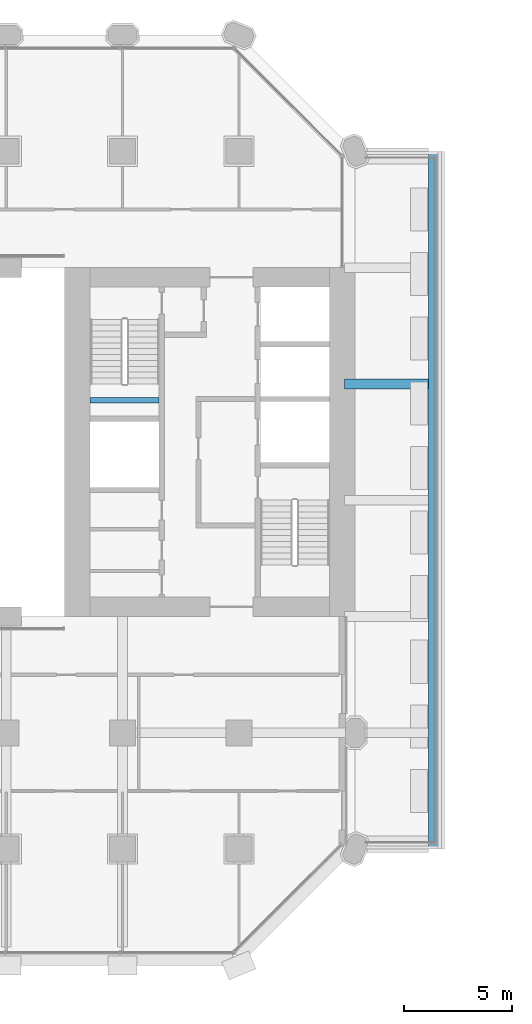
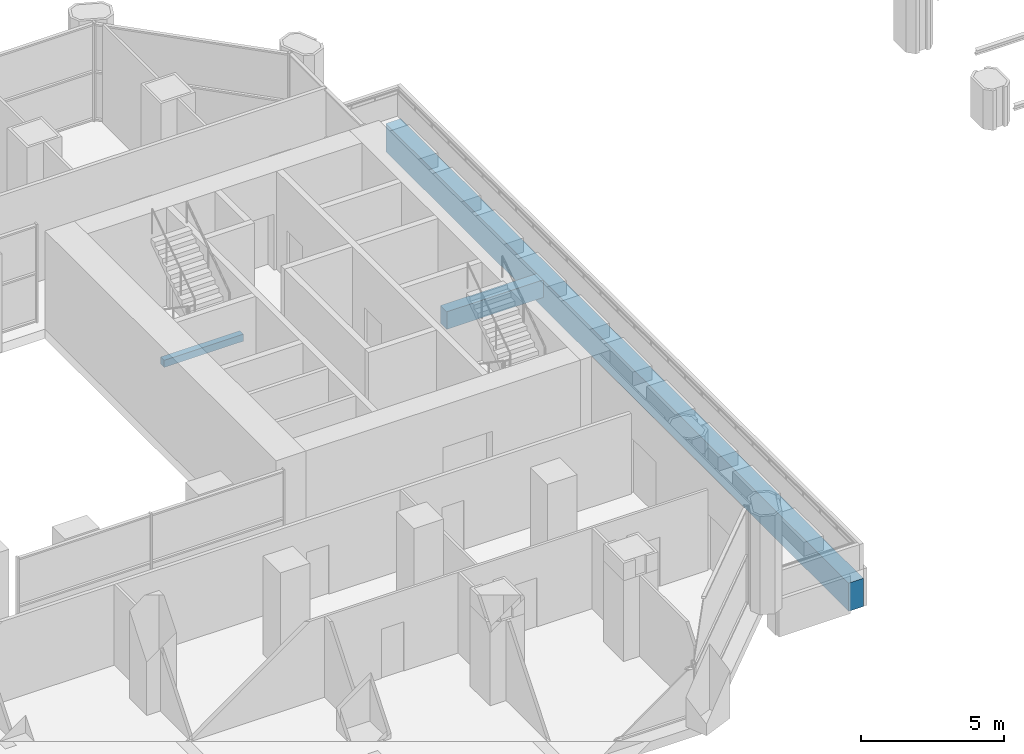
# One storey, part 7 of 23: 3 beams.
"""IFC4 building model written with IfcOpenShell, lengths in metres."""

from ifc_helpers import new_model, si_unit, direction, frame, origin, origin_2d, place, context, subcontext, project, spatial, rectangle, extrude, material, material_profile, profile_set, type_object, element, save


model = new_model("IFC4")

# Units and contexts
model_context = context("Model", 3, precision=1e-05, world=origin(), true_north=direction((0.0, 1.0)))
body_context = subcontext(model_context, "Body", "Model", "MODEL_VIEW")
ifc_project = project(units=[si_unit("LENGTHUNIT", "METRE"), si_unit("AREAUNIT", "SQUARE_METRE"), si_unit("VOLUMEUNIT", "CUBIC_METRE"), si_unit("PLANEANGLEUNIT", "RADIAN"), si_unit("MASSUNIT", "GRAM", prefix="KILO")], contexts=[model_context])

# Site, building, storey
site_placement = place(None, origin())
site = spatial("IfcSite", under=ifc_project, at=site_placement, CompositionType="ELEMENT")
building_placement = place(site_placement, origin())
building = spatial("IfcBuilding", under=site, at=building_placement, Name="Tabaq Tower and Sports Hall", CompositionType="ELEMENT")
storey_placement = place(building_placement, frame((0.0, 0.0, 29.10009765625)))
storey = spatial("IfcBuildingStorey", under=building, at=storey_placement, Name="L05", CompositionType="ELEMENT", Elevation=29.10009765625)

# Beams
ifc_material_1 = material(Name="Concrete C40/50", Category="concrete")
ifc_material_profile_1 = material_profile(ifc_material_1, rectangle(XDim=0.60009765625, YDim=1.199951171875, at=origin_2d()), Name="EBT 600x1200")
ifc_profile_set_1 = profile_set([ifc_material_profile_1], Name="Concrete C40/50")
beam_type_1 = type_object("IfcBeamType", Name="Concrete C40/50 PT edge band EBT 600x1200", PredefinedType="BEAM", material=ifc_profile_set_1)
beam_1_placement = place(storey_placement, frame((46.89990234375, 5.39990234375, -1.0), z_axis=(0.0, 1.0, 0.0), x_axis=(-1.0, 0.0, 0.0)))
element("IfcBeam", 1, at=beam_1_placement, inside=storey, type_object=beam_type_1, Name="Tray edge band L05", PredefinedType="BEAM", context=body_context, shape_type="SweptSolid", body=[
    extrude(rectangle(XDim=0.60009765625, YDim=1.199951171875, at=origin_2d()), origin(), (0.0, 0.0, 1.0), 32.400146484375),
])
ifc_material_2 = material(Name="Concrete C40/50", Category="concrete")
ifc_material_profile_2 = material_profile(ifc_material_2, rectangle(XDim=0.449951171875, YDim=0.75, at=origin_2d()), Name="CB 450x750")
ifc_profile_set_2 = profile_set([ifc_material_profile_2], Name="Concrete C40/50")
beam_type_2 = type_object("IfcBeamType", Name="PT CANTILEVER BEAM CB 450x750 C40/50", PredefinedType="BEAM", material=ifc_profile_set_2)
beam_2_placement = place(storey_placement, frame((46.60009765625, 27.0, -0.775146484375), z_axis=(-1.0, 0.0, 0.0), x_axis=(0.0, -1.0, 0.0)))
element("IfcBeam", 2, at=beam_2_placement, inside=storey, type_object=beam_type_2, Name="Tray Cantilever Beam L05 T4 span 1", PredefinedType="BEAM", context=body_context, shape_type="SweptSolid", body=[
    extrude(rectangle(XDim=0.449951171875, YDim=0.75, at=origin_2d()), origin(), (0.0, 0.0, 1.0), 3.900146484375),
])
ifc_material_3 = material(Name="Concrete C40/50", Category="concrete")
ifc_material_profile_3 = material_profile(ifc_material_3, rectangle(XDim=0.25, YDim=0.300048828125, at=origin_2d()), Name="RC 250x300")
ifc_profile_set_3 = profile_set([ifc_material_profile_3], Name="Concrete C40/50")
beam_type_3 = type_object("IfcBeamType", Name="Stair landing beam 250x300", PredefinedType="BEAM", material=ifc_profile_set_3)
beam_3_placement = place(storey_placement, frame((30.89990234375, 26.25, 1.89990234375), z_axis=(1.0, 0.0, 0.0), x_axis=(0.0, 1.0, 0.0)))
element("IfcBeam", 3, at=beam_3_placement, inside=storey, type_object=beam_type_3, Name="L05 ST4 landing beam 1", PredefinedType="BEAM", context=body_context, shape_type="SweptSolid", body=[
    extrude(rectangle(XDim=0.25, YDim=0.300048828125, at=origin_2d()), origin(), (0.0, 0.0, 1.0), 3.2001953125),
])

save(model, "model.ifc")
